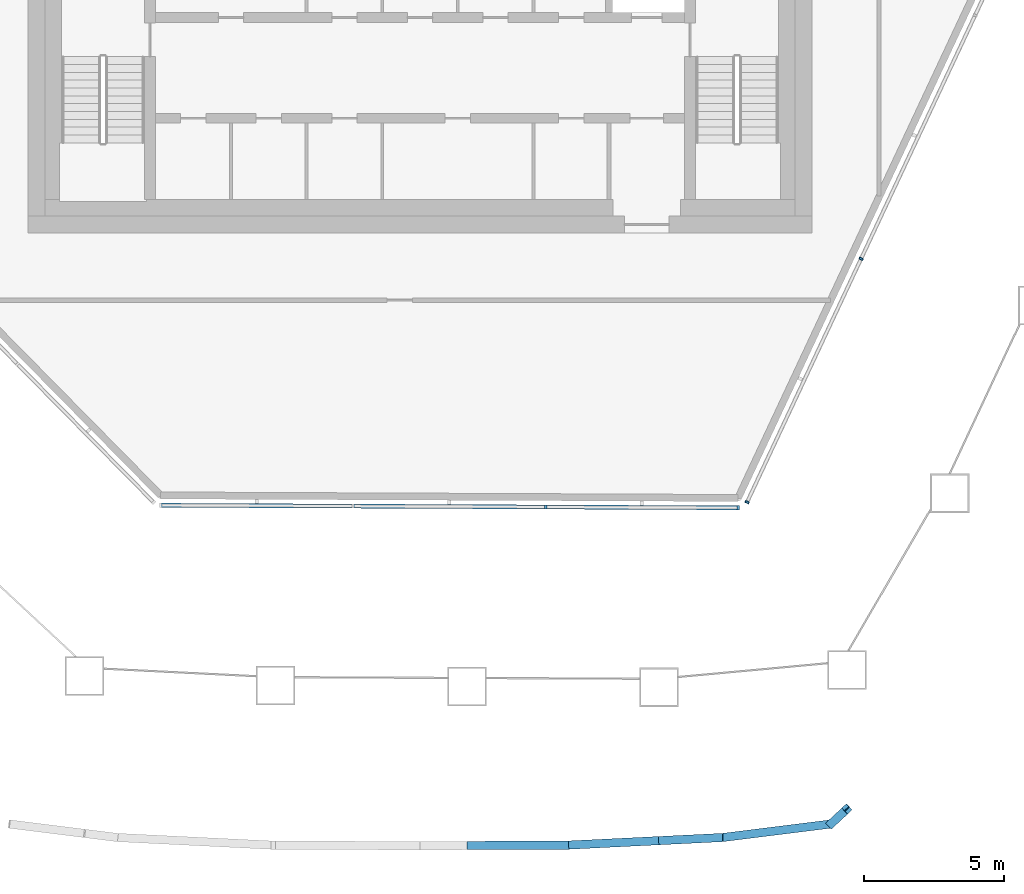
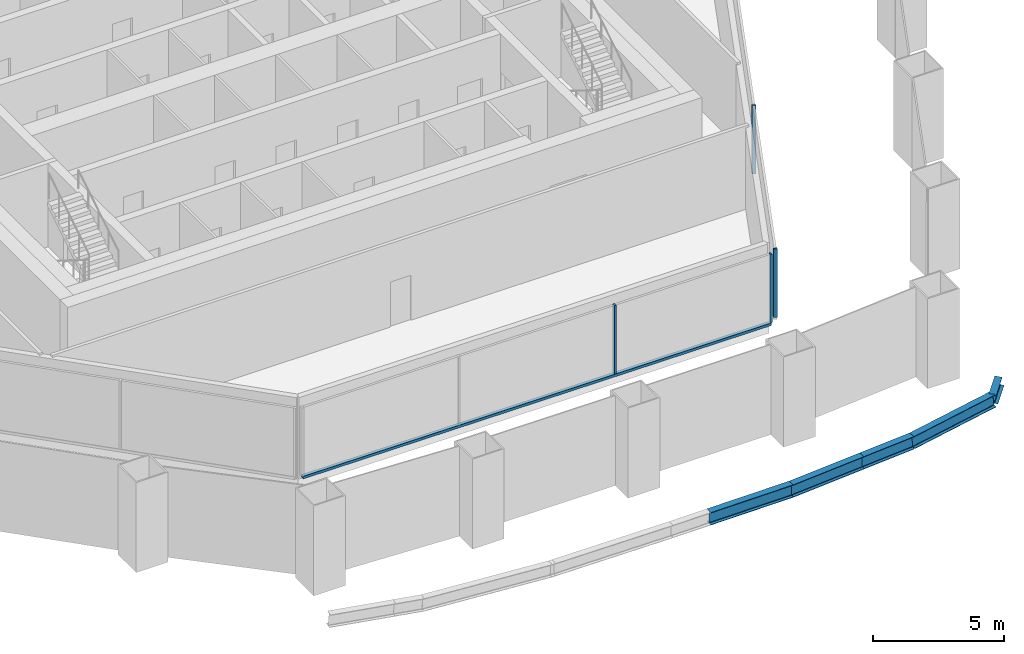
# One storey, part 3 of 18: 10 members, 2 elements without a shape of their own.
"""IFC4 building model written with IfcOpenShell, lengths in metres."""

import ifcopenshell
import ifcopenshell.guid

model = None  # the IFC model being written
_history = None  # IfcOwnerHistory: only IFC2X3 demands one
_inside = {}  # id of a spatial element -> (the spatial element, [elements in it])
_under = {}  # id of a project, library or spatial element -> (it, [spatial elements below it])
_declared = {}  # id of a project -> (the project, [libraries it declares])
_typed = {}  # id of a type object -> (the type object, [elements of that type])
_made_of = {}  # id of a material, layer set ... -> (it, [elements and type objects made of it])


def new_model(schema):
    """Start an empty IFC model of exactly this schema.

    Asked for "IFC4X3", IfcOpenShell would pick the latest addendum, in which some entities
    have other attributes; the version numbers below select the first issue.
    IFC2X3 requires an IfcOwnerHistory on every rooted entity: one is made here for all.
    """
    global model, _history
    if schema == "IFC4X3":
        model = ifcopenshell.file(schema_version=(4, 3, 0, 0))
    else:
        model = ifcopenshell.file(schema=schema)
    _inside.clear()
    _under.clear()
    _declared.clear()
    _typed.clear()
    _made_of.clear()
    _history = None
    if model.schema == "IFC2X3":
        org = make("IfcOrganization", Name="unknown")
        user = make(
            "IfcPersonAndOrganization",
            ThePerson=make("IfcPerson", FamilyName="unknown"),
            TheOrganization=org,
        )
        app = make(
            "IfcApplication",
            ApplicationDeveloper=org,
            Version="unknown",
            ApplicationFullName="unknown",
            ApplicationIdentifier="unknown",
        )
        _history = make(
            "IfcOwnerHistory",
            OwningUser=user,
            OwningApplication=app,
            ChangeAction="ADDED",
            CreationDate=0,
        )
    return model


def make(cls, **values):
    """One entity of the class cls with the attributes given. An attribute that is None is left unset."""
    return model.create_entity(
        cls, **{name: value for name, value in values.items() if value is not None}
    )


def rooted(cls, **values):
    """An entity with a GlobalId (a new one), such as an element, a storey or a relation."""
    return make(cls, GlobalId=ifcopenshell.guid.new(), OwnerHistory=_history, **values)


def si_unit(unit_type, name, prefix=None):
    """IfcSIUnit, for example si_unit("LENGTHUNIT", "METRE", prefix="MILLI")."""
    return make("IfcSIUnit", UnitType=unit_type, Prefix=prefix, Name=name)


def assignment(units):
    """IfcUnitAssignment: the units of a project."""
    return None if units is None else make("IfcUnitAssignment", Units=units)


def point(xyz):
    """IfcCartesianPoint."""
    return None if xyz is None else make("IfcCartesianPoint", Coordinates=xyz)


def direction(xyz):
    """IfcDirection."""
    return None if xyz is None else make("IfcDirection", DirectionRatios=xyz)


def frame(location, z_axis=None, x_axis=None):
    """IfcAxis2Placement3D, a coordinate frame: its origin and axes. An axis left out is left unset."""
    return make(
        "IfcAxis2Placement3D",
        Location=point(location),
        Axis=direction(z_axis),
        RefDirection=direction(x_axis),
    )


def frame_2d(location, x_axis=None):
    """IfcAxis2Placement2D, a coordinate frame in the plane: its origin and x axis."""
    return make(
        "IfcAxis2Placement2D", Location=point(location), RefDirection=direction(x_axis)
    )


def origin():
    """The frame at (0, 0, 0) with its axes left unset."""
    return frame((0.0, 0.0, 0.0))


def origin_2d():
    """The frame at (0, 0) in the plane with its x axis left unset."""
    return frame_2d((0.0, 0.0))


def place(relative_to, where):
    """IfcLocalPlacement: puts the frame where relative to a parent placement (None: the world)."""
    return make(
        "IfcLocalPlacement", PlacementRelTo=relative_to, RelativePlacement=where
    )


def context(
    kind, dimensions, precision=None, world=None, true_north=None, identifier=None
):
    """IfcGeometricRepresentationContext, for example the 3D "Model" context."""
    return make(
        "IfcGeometricRepresentationContext",
        ContextIdentifier=identifier,
        ContextType=kind,
        CoordinateSpaceDimension=dimensions,
        Precision=precision,
        WorldCoordinateSystem=world,
        TrueNorth=true_north,
    )


def subcontext(parent, identifier, kind, view, scale=None):
    """IfcGeometricRepresentationSubContext, for example "Body" below "Model"."""
    return make(
        "IfcGeometricRepresentationSubContext",
        ContextIdentifier=identifier,
        ContextType=kind,
        ParentContext=parent,
        TargetScale=scale,
        TargetView=view,
    )


def project(units=None, contexts=None):
    """IfcProject with its units and contexts."""
    return rooted(
        "IfcProject",
        Name="project",
        RepresentationContexts=contexts,
        UnitsInContext=assignment(units),
    )


def spatial(cls, under=None, at=None, **own):
    """A site, building, storey or space (cls), placed at a placement, below another one or the project."""
    s = rooted(cls, ObjectPlacement=at, **own)
    if under is not None:
        _under.setdefault(under.id(), (under, []))[1].append(s)
    return s


def profile(cls, at=None, kind="AREA", **sizes):
    """A parametric profile (cls). Its sizes go by their IFC names, for example OverallWidth=200.0."""
    return make(cls, ProfileType=kind, Position=at, **sizes)


def rectangle(**sizes):
    """IfcRectangleProfileDef."""
    return profile("IfcRectangleProfileDef", **sizes)


def i_section(**sizes):
    """IfcIShapeProfileDef."""
    return profile("IfcIShapeProfileDef", **sizes)


def extrude(swept, where, along, depth):
    """IfcExtrudedAreaSolid: the profile swept, set in the frame where, extruded along a direction by depth."""
    return make(
        "IfcExtrudedAreaSolid",
        SweptArea=swept,
        Position=where,
        ExtrudedDirection=direction(along),
        Depth=depth,
    )


def shape(context_of_items, identifier, shape_type, items):
    """IfcShapeRepresentation: the items that make up one representation, for example the "Body"."""
    return make(
        "IfcShapeRepresentation",
        ContextOfItems=context_of_items,
        RepresentationIdentifier=identifier,
        RepresentationType=shape_type,
        Items=items,
    )


def material(Name=None, Category=None):
    """IfcMaterial."""
    return make("IfcMaterial", Name=Name, Category=Category)


def layer(
    of_material, thickness, ventilated=None, Name=None, Category=None, Priority=None
):
    """IfcMaterialLayer: one layer of a wall or slab, of a material (None: an air gap)."""
    return make(
        "IfcMaterialLayer",
        Material=of_material,
        LayerThickness=thickness,
        IsVentilated=ventilated,
        Name=Name,
        Category=Category,
        Priority=Priority,
    )


def layer_set(layers, Name=None):
    """IfcMaterialLayerSet."""
    return make("IfcMaterialLayerSet", MaterialLayers=layers, LayerSetName=Name)


def material_profile(
    of_material, cross_section, Name=None, Category=None, Priority=None
):
    """IfcMaterialProfile: a cross section and its material."""
    return make(
        "IfcMaterialProfile",
        Name=Name,
        Material=of_material,
        Profile=cross_section,
        Priority=Priority,
        Category=Category,
    )


def profile_set(profiles, Name=None, composite=None):
    """IfcMaterialProfileSet."""
    return make(
        "IfcMaterialProfileSet",
        Name=Name,
        MaterialProfiles=profiles,
        CompositeProfile=composite,
    )


def made_of(thing, what):
    """Note that an element or type object is made of a material, layer set ...; save() writes the relation."""
    if what is not None:
        _made_of.setdefault(what.id(), (what, []))[1].append(thing)
    return thing


def type_object(cls, material=None, **own):
    """A type object (cls), such as IfcWallType, which elements share."""
    return made_of(rooted(cls, **own), material)


def element(
    cls,
    number,
    at=None,
    inside=None,
    cuts=None,
    type_object=None,
    material=None,
    context=None,
    identifier="Body",
    shape_type=None,
    held_by="IfcProductDefinitionShape",
    body=None,
    shapes=None,
    **own,
):
    """One element of the class cls, such as IfcWall. Its Tag is "e" and its number.

    at: its placement. inside: the storey or other place that contains it. cuts: it is an
    opening in that element (IfcRelVoidsElement). A single representation is given by context,
    identifier, shape_type and body (its items); several are given by shapes. held_by: the class
    of the entity that holds the representations. save() writes the other relations.
    """
    e = rooted(cls, Tag="e%d" % number, ObjectPlacement=at, **own)
    if body is not None:
        shapes = [shape(context, identifier, shape_type, body)]
    if shapes is not None:
        e.Representation = make(held_by, Representations=shapes)
    if inside is not None:
        _inside.setdefault(inside.id(), (inside, []))[1].append(e)
    if cuts is not None:
        rooted(
            "IfcRelVoidsElement", RelatingBuildingElement=cuts, RelatedOpeningElement=e
        )
    if type_object is not None:
        _typed.setdefault(type_object.id(), (type_object, []))[1].append(e)
    return made_of(e, material)


def aggregate(whole, parts):
    """IfcRelAggregates: a whole, such as a stair, and the parts it consists of."""
    return rooted("IfcRelAggregates", RelatingObject=whole, RelatedObjects=parts)


def save(model, path):
    """Write the relations noted so far, then the file.

    IfcRelAggregates (storeys below a building ...), IfcRelContainedInSpatialStructure (elements
    in a storey), IfcRelDefinesByType, IfcRelAssociatesMaterial and IfcRelDeclares: one each for
    every whole, place, type object, material and project.
    """
    for whole, parts in _under.values():
        aggregate(whole, parts)
    for where, things in _inside.values():
        rooted(
            "IfcRelContainedInSpatialStructure",
            RelatedElements=things,
            RelatingStructure=where,
        )
    for kind, things in _typed.values():
        rooted("IfcRelDefinesByType", RelatedObjects=things, RelatingType=kind)
    for what, things in _made_of.values():
        rooted("IfcRelAssociatesMaterial", RelatedObjects=things, RelatingMaterial=what)
    for by, libraries in _declared.values():
        rooted("IfcRelDeclares", RelatingContext=by, RelatedDefinitions=libraries)
    model.write(path)


model = new_model("IFC4")

# Units and contexts
model_context = context("Model", 3, precision=1e-05, world=origin(), true_north=direction((0.0, 1.0)))
body_context = subcontext(model_context, "Body", "Model", "MODEL_VIEW")
ifc_project = project(units=[si_unit("LENGTHUNIT", "METRE"), si_unit("AREAUNIT", "SQUARE_METRE"), si_unit("VOLUMEUNIT", "CUBIC_METRE"), si_unit("PLANEANGLEUNIT", "RADIAN"), si_unit("MASSUNIT", "GRAM", prefix="KILO")], contexts=[model_context])

# Site, building, storey
site_placement = place(None, origin())
site = spatial("IfcSite", under=ifc_project, at=site_placement, CompositionType="ELEMENT")
building_placement = place(site_placement, origin())
building = spatial("IfcBuilding", under=site, at=building_placement, Name="Dongbaek Canopy Tower", CompositionType="ELEMENT")
storey_placement = place(building_placement, frame((0.0, 0.0, 371.60009765625)))
storey = spatial("IfcBuildingStorey", under=building, at=storey_placement, Name="L80", CompositionType="ELEMENT", Elevation=371.60009765625)

# Curtain wall, members
ifc_material_1 = material(Name="Aluminium 6063-T6 pale anodised", Category="aluminium")
ifc_layer = layer(ifc_material_1, 0.14990234375)
ifc_layer_set = layer_set([ifc_layer], Name="CW-7 louvre curtain wall")
curtain_wall_type = type_object("IfcCurtainWallType", Name="CW-7 louvre curtain wall", PredefinedType="NOTDEFINED", material=ifc_layer_set)
curtain_wall_1_placement = place(storey_placement, origin())
curtain_wall_1 = element("IfcCurtainWall", 1, at=curtain_wall_1_placement, inside=storey, type_object=curtain_wall_type, Name="CW-7 louvre wall L80 F0", PredefinedType="NOTDEFINED")
ifc_material_2 = material(Name="Aluminium 6063-T6 pale anodised", Category="aluminium")
ifc_material_profile_1 = material_profile(ifc_material_2, rectangle(XDim=0.14990234375, YDim=0.080078125, at=origin_2d()), Name="CW-7 mullion 80 x 150")
ifc_profile_set_1 = profile_set([ifc_material_profile_1], Name="Aluminium 6063-T6 pale anodised")
member_type_1 = type_object("IfcMemberType", Name="CW-7 mullion 80 x 150", PredefinedType="MULLION", material=ifc_profile_set_1)
member_1_placement = place(storey_placement, frame((4.48828125, -20.7880859375, 0.2998046875), z_axis=(0.0, 0.0, 1.0), x_axis=(-0.004466136555, -0.999990026762, 0.0)))
member_1 = element("IfcMember", 2, at=member_1_placement, type_object=member_type_1, Name="CW-7 mullion L80 F0.1.3", PredefinedType="MULLION", context=body_context, shape_type="SweptSolid", body=[
    extrude(rectangle(XDim=0.14990234375, YDim=0.080078125, at=origin_2d()), origin(), (0.0, 0.0, 1.0), 3.2001953125),
])
member_2_placement = place(storey_placement, frame((11.365966796875, -20.81884765625, 0.2998046875), z_axis=(0.0, 0.0, 1.0), x_axis=(-0.004466136555, -0.999990026762, 0.0)))
member_2 = element("IfcMember", 3, at=member_2_placement, type_object=member_type_1, Name="CW-7 mullion L80 F0.1.4", PredefinedType="MULLION", context=body_context, shape_type="SweptSolid", body=[
    extrude(rectangle(XDim=0.14990234375, YDim=0.080078125, at=origin_2d()), origin(), (0.0, 0.0, 1.0), 3.2001953125),
])

curtain_wall_2_placement = place(storey_placement, origin())
curtain_wall_2 = element("IfcCurtainWall", 4, at=curtain_wall_2_placement, inside=storey, type_object=curtain_wall_type, Name="CW-7 louvre wall L80 F1", PredefinedType="NOTDEFINED")
member_3_placement = place(storey_placement, frame((11.684326171875, -20.6171875, 0.2998046875), z_axis=(0.0, 0.0, 1.0), x_axis=(0.905604659029, -0.42412286138, 0.0)))
member_3 = element("IfcMember", 5, at=member_3_placement, type_object=member_type_1, Name="CW-7 mullion L80 F1.1.1", PredefinedType="MULLION", context=body_context, shape_type="SweptSolid", body=[
    extrude(rectangle(XDim=0.14990234375, YDim=0.080078125, at=origin_2d()), origin(), (0.0, 0.0, 1.0), 3.2001953125),
])
member_4_placement = place(storey_placement, frame((15.756103515625, -11.923095703125, 0.2998046875), z_axis=(0.0, 0.0, 1.0), x_axis=(0.905604659029, -0.42412286138, 0.0)))
member_4 = element("IfcMember", 6, at=member_4_placement, type_object=member_type_1, Name="CW-7 mullion L80 F1.1.2", PredefinedType="MULLION", context=body_context, shape_type="SweptSolid", body=[
    extrude(rectangle(XDim=0.14990234375, YDim=0.080078125, at=origin_2d()), origin(), (0.0, 0.0, 1.0), 3.2001953125),
])
aggregate(curtain_wall_2, [member_3, member_4])

# Member
ifc_material_3 = material(Name="Aluminium 6063-T6 pale anodised", Category="aluminium")
ifc_material_profile_2 = material_profile(ifc_material_3, rectangle(XDim=0.14990234375, YDim=0.1201171875, at=origin_2d()), Name="CW-7 transom 120 x 150")
ifc_profile_set_2 = profile_set([ifc_material_profile_2], Name="Aluminium 6063-T6 pale anodised")
member_type_2 = type_object("IfcMemberType", Name="CW-7 transom 120 x 150", PredefinedType="USERDEFINED", material=ifc_profile_set_2)
member_5_placement = place(storey_placement, frame((-9.267333984375, -20.7265625, 0.239990234375), z_axis=(0.999989997933, -0.004472587018, 0.0), x_axis=(0.004472587018, 0.999989997933, 0.0)))
member_5 = element("IfcMember", 7, at=member_5_placement, type_object=member_type_2, Name="CW-7 transom L80 F0.1", ObjectType="TRANSOM", PredefinedType="USERDEFINED", context=body_context, shape_type="SweptSolid", body=[
    extrude(rectangle(XDim=0.14990234375, YDim=0.1201171875, at=origin_2d()), origin(), (0.0, 0.0, 1.0), 20.633544921875),
])

aggregate(curtain_wall_1, [member_5, member_1, member_2])

# Members
ifc_material_4 = material(Name="Steel S355", Category="steel")
ifc_material_profile_3 = material_profile(ifc_material_4, i_section(OverallWidth=0.300048828125, OverallDepth=0.587890625, WebThickness=0.011962890625, FlangeThickness=0.02001953125, FilletRadius=0.028076171875, at=origin_2d()), Name="EAVES BEAM H 588x300x12x20 Steel S355")
ifc_profile_set_3 = profile_set([ifc_material_profile_3], Name="Steel S355")
member_type_3 = type_object("IfcMemberType", Name="EAVES BEAM H 588x300x12x20 Steel S355", PredefinedType="MEMBER", material=ifc_profile_set_3)
member_6_placement = place(storey_placement, frame((1.68310546875, -32.88232421875, 1.904541015625), z_axis=(0.999986684769, 0.004364701485, 0.002753119398), x_axis=(-0.004364718026, 0.999990474573, 0.0)))
element("IfcMember", 8, at=member_6_placement, inside=storey, type_object=member_type_3, Name="EAVE:16", PredefinedType="MEMBER", context=body_context, shape_type="SweptSolid", body=[
    extrude(i_section(OverallWidth=0.300048828125, OverallDepth=0.587890625, WebThickness=0.011962890625, FlangeThickness=0.02001953125, FilletRadius=0.028076171875, at=origin_2d()), origin(), (0.0, 0.0, 1.0), 3.6357421875),
])
member_7_placement = place(storey_placement, frame((5.31884765625, -32.866455078125, 1.91455078125), z_axis=(0.998316975062, 0.049199462132, 0.030702283765), x_axis=(-0.049222666989, 0.998787829849, 0.0)))
element("IfcMember", 9, at=member_7_placement, inside=storey, type_object=member_type_3, Name="EAVE:17", PredefinedType="MEMBER", context=body_context, shape_type="SweptSolid", body=[
    extrude(i_section(OverallWidth=0.300048828125, OverallDepth=0.587890625, WebThickness=0.011962890625, FlangeThickness=0.02001953125, FilletRadius=0.028076171875, at=origin_2d()), origin(), (0.0, 0.0, 1.0), 3.220458984375),
])
member_8_placement = place(storey_placement, frame((8.533935546875, -32.7080078125, 2.013427734375), z_axis=(0.99831753596, 0.049194008199, 0.030692783377), x_axis=(-0.049217196117, 0.998788099452, 0.0)))
element("IfcMember", 10, at=member_8_placement, inside=storey, type_object=member_type_3, Name="EAVE:18", PredefinedType="MEMBER", context=body_context, shape_type="SweptSolid", body=[
    extrude(i_section(OverallWidth=0.300048828125, OverallDepth=0.587890625, WebThickness=0.011962890625, FlangeThickness=0.02001953125, FilletRadius=0.028076171875, at=origin_2d()), origin(), (0.0, 0.0, 1.0), 2.282958984375),
])
member_9_placement = place(storey_placement, frame((10.81298828125, -32.595703125, 2.08349609375), z_axis=(0.98933058635, 0.123525597929, 0.077242589085), x_axis=(-0.1238957578, 0.992295238928, 0.0)))
element("IfcMember", 11, at=member_9_placement, inside=storey, type_object=member_type_3, Name="EAVE:19", PredefinedType="MEMBER", context=body_context, shape_type="SweptSolid", body=[
    extrude(i_section(OverallWidth=0.300048828125, OverallDepth=0.587890625, WebThickness=0.011962890625, FlangeThickness=0.02001953125, FilletRadius=0.028076171875, at=origin_2d()), origin(), (0.0, 0.0, 1.0), 3.903564453125),
])
member_10_placement = place(storey_placement, frame((14.6748046875, -32.113525390625, 2.385009765625), z_axis=(0.673726523272, 0.626702463906, 0.391582167079), x_axis=(-0.681092357892, 0.732197514351, 0.0)))
element("IfcMember", 12, at=member_10_placement, inside=storey, type_object=member_type_3, Name="EAVE:20", PredefinedType="MEMBER", context=body_context, shape_type="SweptSolid", body=[
    extrude(i_section(OverallWidth=0.300048828125, OverallDepth=0.587890625, WebThickness=0.011962890625, FlangeThickness=0.02001953125, FilletRadius=0.028076171875, at=origin_2d()), origin(), (0.0, 0.0, 1.0), 0.856689453125),
])

save(model, "model.ifc")
